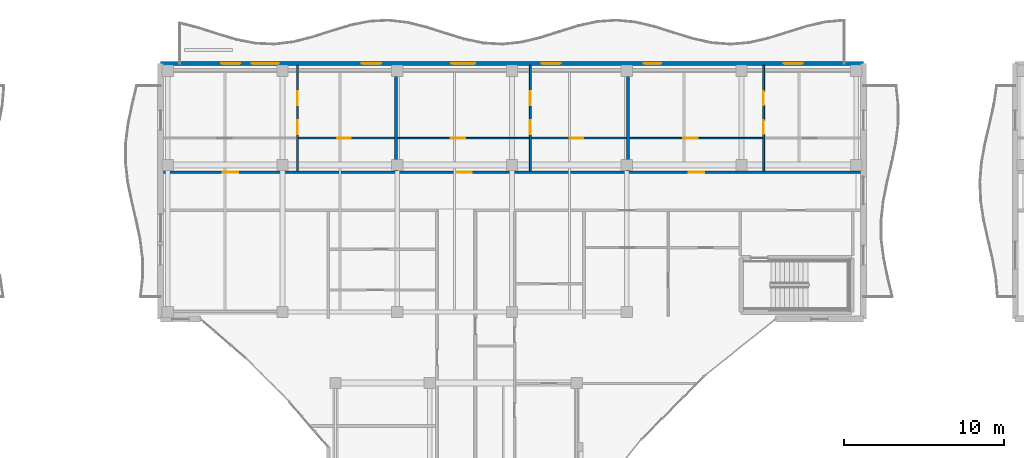
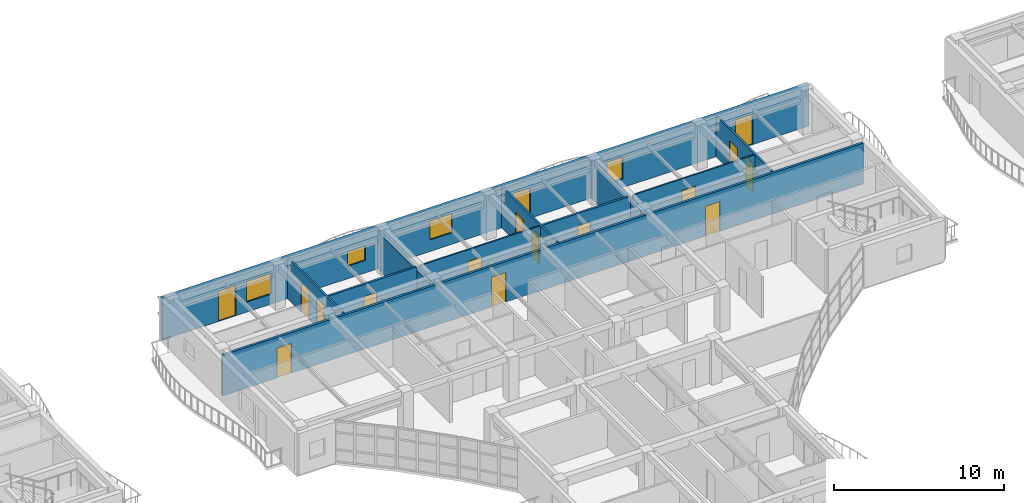
# One storey, part 94 of 128: 16 doors, 11 walls, 4 windows, 20 openings.
"""IFC4 building model written with IfcOpenShell, lengths in metres."""

from ifc_helpers import new_model, si_unit, direction, frame, frame_2d, origin, place, context, subcontext, project, spatial, rectangle, extrude, material, layer, layer_set, type_object, element, fill, save


model = new_model("IFC4")

# Units and contexts
model_context = context("Model", 3, precision=1e-05, world=origin(), true_north=direction((0.0, 1.0)))
body_context = subcontext(model_context, "Body", "Model", "MODEL_VIEW")
ifc_project = project(units=[si_unit("LENGTHUNIT", "METRE"), si_unit("AREAUNIT", "SQUARE_METRE"), si_unit("VOLUMEUNIT", "CUBIC_METRE"), si_unit("PLANEANGLEUNIT", "RADIAN"), si_unit("MASSUNIT", "GRAM", prefix="KILO")], contexts=[model_context])

# Site, building, storey
site_placement = place(None, origin())
site = spatial("IfcSite", under=ifc_project, at=site_placement, CompositionType="ELEMENT")
building_placement = place(site_placement, origin())
building = spatial("IfcBuilding", under=site, at=building_placement, Name="Keldmere Railside Commons", CompositionType="ELEMENT")
storey_placement = place(building_placement, frame((0.0, 0.0, 4.159912109375)))
storey = spatial("IfcBuildingStorey", under=building, at=storey_placement, Name="L01", CompositionType="ELEMENT", Elevation=4.159912109375)

# Walls
ifc_material_1 = material(Name="Acoustic Gypsum Board Partition", Category="gypsum")
ifc_layer_1 = layer(ifc_material_1, 0.179931640625, Name="Acoustic Demising Partition 180")
ifc_layer_set_1 = layer_set([ifc_layer_1], Name="Acoustic Gypsum Board Partition")
wall_type_1 = type_object("IfcWallType", Name="Acoustic Demising Partition 180", PredefinedType="PARTITIONING", material=ifc_layer_set_1)
for number, where, z_axis, x_axis, name in (
    (1, (108.22998046875, 109.280029296875, 0.0), (0.0, 0.0, 1.0), (0.0, 1.0, 0.0), "IW-1 IW-L01-0943"),
    (2, (122.77001953125, 109.280029296875, 0.0), (0.0, 0.0, 1.0), (0.0, 1.0, 0.0), "IW-1 IW-L01-0944"),
):
    element("IfcWall", number, at=place(storey_placement, frame(where, z_axis=z_axis, x_axis=x_axis)), inside=storey, type_object=wall_type_1, Name=name, PredefinedType="PARTITIONING", context=body_context, shape_type="SweptSolid", body=[
        extrude(rectangle(XDim=6.599853515625, YDim=0.179931640625, at=frame_2d((3.2998046875, 0.0))), origin(), (0.0, 0.0, 1.0), 2.68017578125),
    ])

# Wall, openings, doors
ifc_layer_2 = layer(ifc_material_1, 0.1201171875, Name="Apartment Interior Partition 120")
ifc_layer_set_2 = layer_set([ifc_layer_2], Name="Acoustic Gypsum Board Partition")
wall_type_2 = type_object("IfcWallType", Name="Apartment Interior Partition 120", PredefinedType="PARTITIONING", material=ifc_layer_set_2)
wall_1_placement = place(storey_placement, frame((102.070068359375, 109.280029296875, 0.0), z_axis=(0.0, 0.0, 1.0), x_axis=(0.0, 1.0, 0.0)))
wall_1 = element("IfcWall", 3, at=wall_1_placement, inside=storey, type_object=wall_type_2, Name="IW-4 IW-L01-0945", PredefinedType="PARTITIONING", context=body_context, shape_type="SweptSolid", body=[
    extrude(rectangle(XDim=6.599853515625, YDim=0.1201171875, at=frame_2d((3.2998046875, 0.0))), origin(), (0.0, 0.0, 1.0), 2.93505859375),
])
opening_1_placement = place(wall_1_placement, frame((2.305908203125, 0.0, 0.0)))
opening_1 = element("IfcOpeningElement", 4, at=opening_1_placement, cuts=wall_1, Name="Opening ID-04", PredefinedType="OPENING", context=body_context, shape_type="SweptSolid", body=[
    extrude(rectangle(XDim=0.860107421875, YDim=2.10009765625, at=frame_2d((0.43017578125, 1.050048828125))), frame((0.0, 0.070068359375, 0.0), z_axis=(0.0, -1.0, 0.0), x_axis=(1.0, 0.0, 0.0)), (0.0, 0.0, 1.0), 0.14013671875),
])
opening_2_placement = place(wall_1_placement, frame((4.097412109375, 0.0, 0.0)))
opening_2 = element("IfcOpeningElement", 5, at=opening_2_placement, cuts=wall_1, Name="Opening ID-01", PredefinedType="OPENING", context=body_context, shape_type="SweptSolid", body=[
    extrude(rectangle(XDim=0.89990234375, YDim=2.10009765625, at=frame_2d((0.449951171875, 1.050048828125))), frame((0.0, 0.070068359375, 0.0), z_axis=(0.0, -1.0, 0.0), x_axis=(1.0, 0.0, 0.0)), (0.0, 0.0, 1.0), 0.14013671875),
])
ifc_material_2 = material(Name="Engineered Oak Timber", Category="wood")
door_type_1 = type_object("IfcDoorType", Name="Apartment Bathroom Door 860x2100", OperationType="NOTDEFINED", PredefinedType="DOOR", material=ifc_material_2)
door_1_placement = place(opening_1_placement, origin())
door_1 = element("IfcDoor", 6, at=door_1_placement, inside=storey, type_object=door_type_1, Name="ID-04 IDR-L01-0816", OperationType="SINGLE_SWING_RIGHT", OverallHeight=2.10009765625, OverallWidth=0.860107421875, PredefinedType="DOOR", context=body_context, shape_type="SweptSolid", body=[
    extrude(rectangle(XDim=0.860107421875, YDim=2.10009765625, at=frame_2d((0.43017578125, 1.050048828125))), frame((0.0, 0.02490234375, 0.0), z_axis=(0.0, -1.0, 0.0), x_axis=(1.0, 0.0, 0.0)), (0.0, 0.0, 1.0), 0.050048828125),
])
fill(opening_1, door_1)
door_type_2 = type_object("IfcDoorType", Name="Primary Bedroom Door 900x2100", OperationType="NOTDEFINED", PredefinedType="DOOR", material=ifc_material_2)
door_2_placement = place(opening_2_placement, origin())
door_2 = element("IfcDoor", 7, at=door_2_placement, inside=storey, type_object=door_type_2, Name="ID-01 IDR-L01-0817", OperationType="SINGLE_SWING_LEFT", OverallHeight=2.10009765625, OverallWidth=0.89990234375, PredefinedType="DOOR", context=body_context, shape_type="SweptSolid", body=[
    extrude(rectangle(XDim=0.89990234375, YDim=2.10009765625, at=frame_2d((0.449951171875, 1.050048828125))), frame((0.0, 0.02490234375, 0.0), z_axis=(0.0, -1.0, 0.0), x_axis=(1.0, 0.0, 0.0)), (0.0, 0.0, 1.0), 0.050048828125),
])
fill(opening_2, door_2)

wall_2_placement = place(storey_placement, frame((116.64990234375, 109.280029296875, 0.0), z_axis=(0.0, 0.0, 1.0), x_axis=(0.0, 1.0, 0.0)))
wall_2 = element("IfcWall", 8, at=wall_2_placement, inside=storey, type_object=wall_type_2, Name="IW-4 IW-L01-0948", PredefinedType="PARTITIONING", context=body_context, shape_type="SweptSolid", body=[
    extrude(rectangle(XDim=6.599853515625, YDim=0.1201171875, at=frame_2d((3.2998046875, 0.0))), origin(), (0.0, 0.0, 1.0), 2.93505859375),
])
opening_3_placement = place(wall_2_placement, frame((2.305908203125, 0.0, 0.0)))
opening_3 = element("IfcOpeningElement", 9, at=opening_3_placement, cuts=wall_2, Name="Opening ID-04", PredefinedType="OPENING", context=body_context, shape_type="SweptSolid", body=[
    extrude(rectangle(XDim=0.860107421875, YDim=2.10009765625, at=frame_2d((0.43017578125, 1.050048828125))), frame((0.0, 0.070068359375, 0.0), z_axis=(0.0, -1.0, 0.0), x_axis=(1.0, 0.0, 0.0)), (0.0, 0.0, 1.0), 0.14013671875),
])
opening_4_placement = place(wall_2_placement, frame((4.097412109375, 0.0, 0.0)))
opening_4 = element("IfcOpeningElement", 10, at=opening_4_placement, cuts=wall_2, Name="Opening ID-01", PredefinedType="OPENING", context=body_context, shape_type="SweptSolid", body=[
    extrude(rectangle(XDim=0.89990234375, YDim=2.10009765625, at=frame_2d((0.449951171875, 1.050048828125))), frame((0.0, 0.070068359375, 0.0), z_axis=(0.0, -1.0, 0.0), x_axis=(1.0, 0.0, 0.0)), (0.0, 0.0, 1.0), 0.14013671875),
])
door_3_placement = place(opening_3_placement, origin())
door_3 = element("IfcDoor", 11, at=door_3_placement, inside=storey, type_object=door_type_1, Name="ID-04 IDR-L01-0821", OperationType="SINGLE_SWING_LEFT", OverallHeight=2.10009765625, OverallWidth=0.860107421875, PredefinedType="DOOR", context=body_context, shape_type="SweptSolid", body=[
    extrude(rectangle(XDim=0.860107421875, YDim=2.10009765625, at=frame_2d((0.43017578125, 1.050048828125))), frame((0.0, 0.02490234375, 0.0), z_axis=(0.0, -1.0, 0.0), x_axis=(1.0, 0.0, 0.0)), (0.0, 0.0, 1.0), 0.050048828125),
])
fill(opening_3, door_3)
door_4_placement = place(opening_4_placement, origin())
door_4 = element("IfcDoor", 12, at=door_4_placement, inside=storey, type_object=door_type_2, Name="ID-01 IDR-L01-0822", OperationType="SINGLE_SWING_RIGHT", OverallHeight=2.10009765625, OverallWidth=0.89990234375, PredefinedType="DOOR", context=body_context, shape_type="SweptSolid", body=[
    extrude(rectangle(XDim=0.89990234375, YDim=2.10009765625, at=frame_2d((0.449951171875, 1.050048828125))), frame((0.0, 0.02490234375, 0.0), z_axis=(0.0, -1.0, 0.0), x_axis=(1.0, 0.0, 0.0)), (0.0, 0.0, 1.0), 0.050048828125),
])
fill(opening_4, door_4)

wall_3_placement = place(storey_placement, frame((131.25, 109.280029296875, 0.0), z_axis=(0.0, 0.0, 1.0), x_axis=(0.0, 1.0, 0.0)))
wall_3 = element("IfcWall", 13, at=wall_3_placement, inside=storey, type_object=wall_type_2, Name="IW-4 IW-L01-0951", PredefinedType="PARTITIONING", context=body_context, shape_type="SweptSolid", body=[
    extrude(rectangle(XDim=6.599853515625, YDim=0.1201171875, at=frame_2d((3.2998046875, 0.0))), origin(), (0.0, 0.0, 1.0), 2.93505859375),
])
opening_5_placement = place(wall_3_placement, frame((2.305908203125, 0.0, 0.0)))
opening_5 = element("IfcOpeningElement", 14, at=opening_5_placement, cuts=wall_3, Name="Opening ID-04", PredefinedType="OPENING", context=body_context, shape_type="SweptSolid", body=[
    extrude(rectangle(XDim=0.860107421875, YDim=2.10009765625, at=frame_2d((0.43017578125, 1.050048828125))), frame((0.0, 0.070068359375, 0.0), z_axis=(0.0, -1.0, 0.0), x_axis=(1.0, 0.0, 0.0)), (0.0, 0.0, 1.0), 0.14013671875),
])
opening_6_placement = place(wall_3_placement, frame((4.097412109375, 0.0, 0.0)))
opening_6 = element("IfcOpeningElement", 15, at=opening_6_placement, cuts=wall_3, Name="Opening ID-01", PredefinedType="OPENING", context=body_context, shape_type="SweptSolid", body=[
    extrude(rectangle(XDim=0.89990234375, YDim=2.10009765625, at=frame_2d((0.449951171875, 1.050048828125))), frame((0.0, 0.070068359375, 0.0), z_axis=(0.0, -1.0, 0.0), x_axis=(1.0, 0.0, 0.0)), (0.0, 0.0, 1.0), 0.14013671875),
])
door_5_placement = place(opening_5_placement, origin())
door_5 = element("IfcDoor", 16, at=door_5_placement, inside=storey, type_object=door_type_1, Name="ID-04 IDR-L01-0826", OperationType="SINGLE_SWING_RIGHT", OverallHeight=2.10009765625, OverallWidth=0.860107421875, PredefinedType="DOOR", context=body_context, shape_type="SweptSolid", body=[
    extrude(rectangle(XDim=0.860107421875, YDim=2.10009765625, at=frame_2d((0.43017578125, 1.050048828125))), frame((0.0, 0.02490234375, 0.0), z_axis=(0.0, -1.0, 0.0), x_axis=(1.0, 0.0, 0.0)), (0.0, 0.0, 1.0), 0.050048828125),
])
fill(opening_5, door_5)
door_6_placement = place(opening_6_placement, origin())
door_6 = element("IfcDoor", 17, at=door_6_placement, inside=storey, type_object=door_type_2, Name="ID-01 IDR-L01-0827", OperationType="SINGLE_SWING_LEFT", OverallHeight=2.10009765625, OverallWidth=0.89990234375, PredefinedType="DOOR", context=body_context, shape_type="SweptSolid", body=[
    extrude(rectangle(XDim=0.89990234375, YDim=2.10009765625, at=frame_2d((0.449951171875, 1.050048828125))), frame((0.0, 0.02490234375, 0.0), z_axis=(0.0, -1.0, 0.0), x_axis=(1.0, 0.0, 0.0)), (0.0, 0.0, 1.0), 0.050048828125),
])
fill(opening_6, door_6)

# Wall, opening, door
ifc_layer_3 = layer(ifc_material_1, 0.10009765625, Name="Closet Light Partition 100")
ifc_layer_set_3 = layer_set([ifc_layer_3], Name="Acoustic Gypsum Board Partition")
wall_type_3 = type_object("IfcWallType", Name="Closet Light Partition 100", PredefinedType="PARTITIONING", material=ifc_layer_set_3)
wall_4_placement = place(storey_placement, frame((108.320068359375, 111.330078125, 0.0), z_axis=(0.0, 0.0, 1.0), x_axis=(1.0, 0.0, 0.0)))
wall_4 = element("IfcWall", 18, at=wall_4_placement, inside=storey, type_object=wall_type_3, Name="IW-6 IW-L01-0950", PredefinedType="PARTITIONING", context=body_context, shape_type="SweptSolid", body=[
    extrude(rectangle(XDim=8.27001953125, YDim=0.10009765625, at=frame_2d((4.135009765625, 0.0))), origin(), (0.0, 0.0, 1.0), 2.93505859375),
])
opening_7_placement = place(wall_4_placement, frame((3.33203125, 0.0, 0.0)))
opening_7 = element("IfcOpeningElement", 19, at=opening_7_placement, cuts=wall_4, Name="Opening ID-03", PredefinedType="OPENING", context=body_context, shape_type="SweptSolid", body=[
    extrude(rectangle(XDim=0.919921875, YDim=2.10009765625, at=frame_2d((0.4599609375, 1.050048828125))), frame((0.0, 0.06005859375, 0.0), z_axis=(0.0, -1.0, 0.0), x_axis=(1.0, 0.0, 0.0)), (0.0, 0.0, 1.0), 0.1201171875),
])
door_type_3 = type_object("IfcDoorType", Name="Kitchen Pocket-Frame Swing Door 920x2100", OperationType="NOTDEFINED", PredefinedType="DOOR", material=ifc_material_2)
door_7_placement = place(opening_7_placement, origin())
door_7 = element("IfcDoor", 20, at=door_7_placement, inside=storey, type_object=door_type_3, Name="ID-03 IDR-L01-0820", OperationType="SINGLE_SWING_RIGHT", OverallHeight=2.10009765625, OverallWidth=0.919921875, PredefinedType="DOOR", context=body_context, shape_type="SweptSolid", body=[
    extrude(rectangle(XDim=0.919921875, YDim=2.10009765625, at=frame_2d((0.4599609375, 1.050048828125))), frame((0.0, 0.02490234375, 0.0), z_axis=(0.0, -1.0, 0.0), x_axis=(1.0, 0.0, 0.0)), (0.0, 0.0, 1.0), 0.050048828125),
])
fill(opening_7, door_7)

wall_5_placement = place(storey_placement, frame((122.860107421875, 111.330078125, 0.0), z_axis=(0.0, 0.0, 1.0), x_axis=(1.0, 0.0, 0.0)))
wall_5 = element("IfcWall", 21, at=wall_5_placement, inside=storey, type_object=wall_type_3, Name="IW-6 IW-L01-0953", PredefinedType="PARTITIONING", context=body_context, shape_type="SweptSolid", body=[
    extrude(rectangle(XDim=8.329833984375, YDim=0.10009765625, at=frame_2d((4.1650390625, 0.0))), origin(), (0.0, 0.0, 1.0), 2.93505859375),
])
opening_8_placement = place(wall_5_placement, frame((3.35595703125, 0.0, 0.0)))
opening_8 = element("IfcOpeningElement", 22, at=opening_8_placement, cuts=wall_5, Name="Opening ID-03", PredefinedType="OPENING", context=body_context, shape_type="SweptSolid", body=[
    extrude(rectangle(XDim=0.919921875, YDim=2.10009765625, at=frame_2d((0.4599609375, 1.050048828125))), frame((0.0, 0.06005859375, 0.0), z_axis=(0.0, -1.0, 0.0), x_axis=(1.0, 0.0, 0.0)), (0.0, 0.0, 1.0), 0.1201171875),
])
door_8_placement = place(opening_8_placement, origin())
door_8 = element("IfcDoor", 23, at=door_8_placement, inside=storey, type_object=door_type_3, Name="ID-03 IDR-L01-0825", OperationType="SINGLE_SWING_LEFT", OverallHeight=2.10009765625, OverallWidth=0.919921875, PredefinedType="DOOR", context=body_context, shape_type="SweptSolid", body=[
    extrude(rectangle(XDim=0.919921875, YDim=2.10009765625, at=frame_2d((0.4599609375, 1.050048828125))), frame((0.0, 0.02490234375, 0.0), z_axis=(0.0, -1.0, 0.0), x_axis=(1.0, 0.0, 0.0)), (0.0, 0.0, 1.0), 0.050048828125),
])
fill(opening_8, door_8)

# Wall, openings, doors
ifc_layer_4 = layer(ifc_material_1, 0.159912109375, Name="Corridor Fire Partition 160")
ifc_layer_set_4 = layer_set([ifc_layer_4], Name="Acoustic Gypsum Board Partition")
wall_type_4 = type_object("IfcWallType", Name="Corridor Fire Partition 160", PredefinedType="PARTITIONING", material=ifc_layer_set_4)
wall_6_placement = place(storey_placement, frame((93.679931640625, 109.199951171875, 0.0), z_axis=(0.0, 0.0, 1.0), x_axis=(1.0, 0.0, 0.0)))
wall_6 = element("IfcWall", 24, at=wall_6_placement, inside=storey, type_object=wall_type_4, Name="IW-2 IW-L01-0924", PredefinedType="PARTITIONING", context=body_context, shape_type="SweptSolid", body=[
    extrude(rectangle(XDim=43.64013671875, YDim=0.159912109375, at=frame_2d((21.820068359375, 0.0))), origin(), (0.0, 0.0, 1.0), 2.93505859375),
])
opening_9_placement = place(wall_6_placement, frame((3.705078125, 0.0, 0.0)))
opening_9 = element("IfcOpeningElement", 25, at=opening_9_placement, cuts=wall_6, Name="Opening FD-7", PredefinedType="OPENING", context=body_context, shape_type="SweptSolid", body=[
    extrude(rectangle(XDim=0.97998046875, YDim=2.14990234375, at=frame_2d((0.489990234375, 1.074951171875))), frame((0.0, 0.08984375, 0.0), z_axis=(0.0, -1.0, 0.0), x_axis=(1.0, 0.0, 0.0)), (0.0, 0.0, 1.0), 0.179931640625),
])
opening_10_placement = place(wall_6_placement, frame((18.31494140625, 0.0, 0.0)))
opening_10 = element("IfcOpeningElement", 26, at=opening_10_placement, cuts=wall_6, Name="Opening FD-7", PredefinedType="OPENING", context=body_context, shape_type="SweptSolid", body=[
    extrude(rectangle(XDim=0.97998046875, YDim=2.14990234375, at=frame_2d((0.489990234375, 1.074951171875))), frame((0.0, 0.08984375, 0.0), z_axis=(0.0, -1.0, 0.0), x_axis=(1.0, 0.0, 0.0)), (0.0, 0.0, 1.0), 0.179931640625),
])
opening_11_placement = place(wall_6_placement, frame((32.885009765625, 0.0, 0.0)))
opening_11 = element("IfcOpeningElement", 27, at=opening_11_placement, cuts=wall_6, Name="Opening FD-7", PredefinedType="OPENING", context=body_context, shape_type="SweptSolid", body=[
    extrude(rectangle(XDim=0.97998046875, YDim=2.14990234375, at=frame_2d((0.489990234375, 1.074951171875))), frame((0.0, 0.08984375, 0.0), z_axis=(0.0, -1.0, 0.0), x_axis=(1.0, 0.0, 0.0)), (0.0, 0.0, 1.0), 0.179931640625),
])
door_type_4 = type_object("IfcDoorType", Name="Apartment Entrance Acoustic Fire Door 980x2150", OperationType="NOTDEFINED", PredefinedType="DOOR", material=ifc_material_2)
door_9_placement = place(opening_9_placement, origin())
door_9 = element("IfcDoor", 28, at=door_9_placement, inside=storey, type_object=door_type_4, Name="FD-7 IDR-L01-0814", OperationType="SINGLE_SWING_RIGHT", OverallHeight=2.14990234375, OverallWidth=0.97998046875, PredefinedType="DOOR", context=body_context, shape_type="SweptSolid", body=[
    extrude(rectangle(XDim=0.97998046875, YDim=2.14990234375, at=frame_2d((0.489990234375, 1.074951171875))), frame((0.0, 0.02490234375, 0.0), z_axis=(0.0, -1.0, 0.0), x_axis=(1.0, 0.0, 0.0)), (0.0, 0.0, 1.0), 0.050048828125),
])
fill(opening_9, door_9)
door_10_placement = place(opening_10_placement, origin())
door_10 = element("IfcDoor", 29, at=door_10_placement, inside=storey, type_object=door_type_4, Name="FD-7 IDR-L01-0819", OperationType="SINGLE_SWING_LEFT", OverallHeight=2.14990234375, OverallWidth=0.97998046875, PredefinedType="DOOR", context=body_context, shape_type="SweptSolid", body=[
    extrude(rectangle(XDim=0.97998046875, YDim=2.14990234375, at=frame_2d((0.489990234375, 1.074951171875))), frame((0.0, 0.02490234375, 0.0), z_axis=(0.0, -1.0, 0.0), x_axis=(1.0, 0.0, 0.0)), (0.0, 0.0, 1.0), 0.050048828125),
])
fill(opening_10, door_10)
door_11_placement = place(opening_11_placement, origin())
door_11 = element("IfcDoor", 30, at=door_11_placement, inside=storey, type_object=door_type_4, Name="FD-7 IDR-L01-0824", OperationType="SINGLE_SWING_RIGHT", OverallHeight=2.14990234375, OverallWidth=0.97998046875, PredefinedType="DOOR", context=body_context, shape_type="SweptSolid", body=[
    extrude(rectangle(XDim=0.97998046875, YDim=2.14990234375, at=frame_2d((0.489990234375, 1.074951171875))), frame((0.0, 0.02490234375, 0.0), z_axis=(0.0, -1.0, 0.0), x_axis=(1.0, 0.0, 0.0)), (0.0, 0.0, 1.0), 0.050048828125),
])
fill(opening_11, door_11)

# Wall, openings, windows, doors
ifc_material_3 = material(Name="Architectural Precast Concrete H-35 (C35/45)", Category="concrete")
ifc_layer_5 = layer(ifc_material_3, 0.239990234375, Name="Sand-Ochre Precast Cavity Wall 240")
ifc_layer_set_5 = layer_set([ifc_layer_5], Name="Architectural Precast Concrete H-35 (C35/45)")
wall_type_5 = type_object("IfcWallType", Name="Sand-Ochre Precast Cavity Wall 240", PredefinedType="SOLIDWALL", material=ifc_layer_set_5)
wall_7_placement = place(storey_placement, frame((93.5, 116.0, 0.0), z_axis=(0.0, 0.0, 1.0), x_axis=(1.0, 0.0, 0.0)))
wall_7 = element("IfcWall", 31, at=wall_7_placement, inside=storey, type_object=wall_type_5, Name="EW-2 EXTB-L01-0588", PredefinedType="SOLIDWALL", context=body_context, shape_type="SweptSolid", body=[
    extrude(rectangle(XDim=44.0, YDim=0.239990234375, at=frame_2d((22.0, 0.0))), origin(), (0.0, 0.0, 1.0), 2.97998046875),
])
opening_12_placement = place(wall_7_placement, frame((3.800048828125, 0.0, 0.0)))
opening_12 = element("IfcOpeningElement", 32, at=opening_12_placement, cuts=wall_7, Name="Opening BD-01", PredefinedType="OPENING", context=body_context, shape_type="SweptSolid", body=[
    extrude(rectangle(XDim=1.199951171875, YDim=2.199951171875, at=frame_2d((0.60009765625, 1.10009765625))), frame((0.0, 0.1298828125, 0.0), z_axis=(0.0, -1.0, 0.0), x_axis=(1.0, 0.0, 0.0)), (0.0, 0.0, 1.0), 0.260009765625),
])
opening_13_placement = place(wall_7_placement, frame((5.699951171875, 0.0, 0.719970703125)))
opening_13 = element("IfcOpeningElement", 33, at=opening_13_placement, cuts=wall_7, Name="Opening WN-20", PredefinedType="OPENING", context=body_context, shape_type="SweptSolid", body=[
    extrude(rectangle(XDim=1.699951171875, YDim=1.5, at=frame_2d((0.85009765625, 0.75))), frame((0.0, 0.1298828125, 0.0), z_axis=(0.0, -1.0, 0.0), x_axis=(1.0, 0.0, 0.0)), (0.0, 0.0, 1.0), 0.260009765625),
])
opening_14_placement = place(wall_7_placement, frame((12.60009765625, 0.0, 0.89990234375)))
opening_14 = element("IfcOpeningElement", 34, at=opening_14_placement, cuts=wall_7, Name="Opening WN-14", PredefinedType="OPENING", context=body_context, shape_type="SweptSolid", body=[
    extrude(rectangle(XDim=1.199951171875, YDim=1.050048828125, at=frame_2d((0.60009765625, 0.52490234375))), frame((0.0, 0.1298828125, 0.0), z_axis=(0.0, -1.0, 0.0), x_axis=(1.0, 0.0, 0.0)), (0.0, 0.0, 1.0), 0.260009765625),
])
opening_15_placement = place(wall_7_placement, frame((23.85009765625, 0.0, 0.0)))
opening_15 = element("IfcOpeningElement", 35, at=opening_15_placement, cuts=wall_7, Name="Opening BD-01", PredefinedType="OPENING", context=body_context, shape_type="SweptSolid", body=[
    extrude(rectangle(XDim=1.199951171875, YDim=2.199951171875, at=frame_2d((0.60009765625, 1.10009765625))), frame((0.0, 0.1298828125, 0.0), z_axis=(0.0, -1.0, 0.0), x_axis=(1.0, 0.0, 0.0)), (0.0, 0.0, 1.0), 0.260009765625),
])
opening_16_placement = place(wall_7_placement, frame((30.25, 0.0, 0.6201171875)))
opening_16 = element("IfcOpeningElement", 36, at=opening_16_placement, cuts=wall_7, Name="Opening WN-16", PredefinedType="OPENING", context=body_context, shape_type="SweptSolid", body=[
    extrude(rectangle(XDim=1.10009765625, YDim=1.60009765625, at=frame_2d((0.550048828125, 0.800048828125))), frame((0.0, 0.1298828125, 0.0), z_axis=(0.0, -1.0, 0.0), x_axis=(1.0, 0.0, 0.0)), (0.0, 0.0, 1.0), 0.260009765625),
])
opening_17_placement = place(wall_7_placement, frame((39.0, 0.0, 0.0)))
opening_17 = element("IfcOpeningElement", 37, at=opening_17_placement, cuts=wall_7, Name="Opening BD-01", PredefinedType="OPENING", context=body_context, shape_type="SweptSolid", body=[
    extrude(rectangle(XDim=1.199951171875, YDim=2.199951171875, at=frame_2d((0.60009765625, 1.10009765625))), frame((0.0, 0.1298828125, 0.0), z_axis=(0.0, -1.0, 0.0), x_axis=(1.0, 0.0, 0.0)), (0.0, 0.0, 1.0), 0.260009765625),
])
opening_18_placement = place(wall_7_placement, frame((18.2099609375, 0.0, 0.820068359375)))
opening_18 = element("IfcOpeningElement", 38, at=opening_18_placement, cuts=wall_7, Name="Opening WN-06", PredefinedType="OPENING", context=body_context, shape_type="SweptSolid", body=[
    extrude(rectangle(XDim=1.5, YDim=1.39990234375, at=frame_2d((0.75, 0.699951171875))), frame((0.0, 0.1298828125, 0.0), z_axis=(0.0, -1.0, 0.0), x_axis=(1.0, 0.0, 0.0)), (0.0, 0.0, 1.0), 0.260009765625),
])
ifc_material_4 = material(Name="Low-E Insulated Double Glazing", Category="glass")
window_type_1 = type_object("IfcWindowType", Name="Apartment Kitchen Ribbon Window 1200x1050", PartitioningType="SINGLE_PANEL", PredefinedType="WINDOW", material=ifc_material_4)
window_1_placement = place(opening_14_placement, origin())
window_1 = element("IfcWindow", 39, at=window_1_placement, inside=storey, type_object=window_type_1, Name="WN-14 WIN-L01-0373", OverallHeight=1.050048828125, OverallWidth=1.199951171875, PartitioningType="SINGLE_PANEL", PredefinedType="WINDOW", context=body_context, shape_type="SweptSolid", body=[
    extrude(rectangle(XDim=1.199951171875, YDim=1.050048828125, at=frame_2d((0.60009765625, 0.52490234375))), frame((0.0, 0.030029296875, 0.0), z_axis=(0.0, -1.0, 0.0), x_axis=(1.0, 0.0, 0.0)), (0.0, 0.0, 1.0), 0.06005859375),
])
fill(opening_14, window_1)
ifc_material_5 = material(Name="Thermally Broken Aluminium", Category="aluminium")
door_type_5 = type_object("IfcDoorType", Name="Apartment Living Wave-Balcony Glazed Door 1200x2200", OperationType="NOTDEFINED", PredefinedType="DOOR", material=ifc_material_5)
door_12_placement = place(opening_12_placement, origin())
door_12 = element("IfcDoor", 40, at=door_12_placement, inside=storey, type_object=door_type_5, Name="BD-01 DR-L01-0131", OperationType="SINGLE_SWING_LEFT", OverallHeight=2.199951171875, OverallWidth=1.199951171875, PredefinedType="DOOR", context=body_context, shape_type="SweptSolid", body=[
    extrude(rectangle(XDim=1.199951171875, YDim=2.199951171875, at=frame_2d((0.60009765625, 1.10009765625))), frame((0.0, 0.02490234375, 0.0), z_axis=(0.0, -1.0, 0.0), x_axis=(1.0, 0.0, 0.0)), (0.0, 0.0, 1.0), 0.050048828125),
])
fill(opening_12, door_12)
door_13_placement = place(opening_15_placement, origin())
door_13 = element("IfcDoor", 41, at=door_13_placement, inside=storey, type_object=door_type_5, Name="BD-01 DR-L01-0132", OperationType="SINGLE_SWING_RIGHT", OverallHeight=2.199951171875, OverallWidth=1.199951171875, PredefinedType="DOOR", context=body_context, shape_type="SweptSolid", body=[
    extrude(rectangle(XDim=1.199951171875, YDim=2.199951171875, at=frame_2d((0.60009765625, 1.10009765625))), frame((0.0, 0.02490234375, 0.0), z_axis=(0.0, -1.0, 0.0), x_axis=(1.0, 0.0, 0.0)), (0.0, 0.0, 1.0), 0.050048828125),
])
fill(opening_15, door_13)
door_14_placement = place(opening_17_placement, origin())
door_14 = element("IfcDoor", 42, at=door_14_placement, inside=storey, type_object=door_type_5, Name="BD-01 DR-L01-0133", OperationType="SINGLE_SWING_LEFT", OverallHeight=2.199951171875, OverallWidth=1.199951171875, PredefinedType="DOOR", context=body_context, shape_type="SweptSolid", body=[
    extrude(rectangle(XDim=1.199951171875, YDim=2.199951171875, at=frame_2d((0.60009765625, 1.10009765625))), frame((0.0, 0.02490234375, 0.0), z_axis=(0.0, -1.0, 0.0), x_axis=(1.0, 0.0, 0.0)), (0.0, 0.0, 1.0), 0.050048828125),
])
fill(opening_17, door_14)
window_type_2 = type_object("IfcWindowType", Name="Corridor End Daylight Window 1100x1600", PartitioningType="SINGLE_PANEL", PredefinedType="WINDOW", material=ifc_material_4)
window_2_placement = place(opening_16_placement, origin())
window_2 = element("IfcWindow", 43, at=window_2_placement, inside=storey, type_object=window_type_2, Name="WN-16 WIN-L01-0374", OverallHeight=1.60009765625, OverallWidth=1.10009765625, PartitioningType="SINGLE_PANEL", PredefinedType="WINDOW", context=body_context, shape_type="SweptSolid", body=[
    extrude(rectangle(XDim=1.10009765625, YDim=1.60009765625, at=frame_2d((0.550048828125, 0.800048828125))), frame((0.0, 0.030029296875, 0.0), z_axis=(0.0, -1.0, 0.0), x_axis=(1.0, 0.0, 0.0)), (0.0, 0.0, 1.0), 0.06005859375),
])
fill(opening_16, window_2)
window_type_3 = type_object("IfcWindowType", Name="Primary Bedroom North Window 1500x1400", PartitioningType="SINGLE_PANEL", PredefinedType="WINDOW", material=ifc_material_4)
window_3_placement = place(opening_18_placement, origin())
window_3 = element("IfcWindow", 44, at=window_3_placement, inside=storey, type_object=window_type_3, Name="WN-06 WIN-L01-9007", OverallHeight=1.39990234375, OverallWidth=1.5, PartitioningType="SINGLE_PANEL", PredefinedType="WINDOW", context=body_context, shape_type="SweptSolid", body=[
    extrude(rectangle(XDim=1.5, YDim=1.39990234375, at=frame_2d((0.75, 0.699951171875))), frame((0.0, 0.030029296875, 0.0), z_axis=(0.0, -1.0, 0.0), x_axis=(1.0, 0.0, 0.0)), (0.0, 0.0, 1.0), 0.06005859375),
])
fill(opening_18, window_3)
window_type_4 = type_object("IfcWindowType", Name="Study Room Quiet Casement Window 1700x1500", PartitioningType="SINGLE_PANEL", PredefinedType="WINDOW", material=ifc_material_4)
window_4_placement = place(opening_13_placement, origin())
window_4 = element("IfcWindow", 45, at=window_4_placement, inside=storey, type_object=window_type_4, Name="WN-20 WIN-L01-0372", OverallHeight=1.5, OverallWidth=1.699951171875, PartitioningType="SINGLE_PANEL", PredefinedType="WINDOW", context=body_context, shape_type="SweptSolid", body=[
    extrude(rectangle(XDim=1.699951171875, YDim=1.5, at=frame_2d((0.85009765625, 0.75))), frame((0.0, 0.030029296875, 0.0), z_axis=(0.0, -1.0, 0.0), x_axis=(1.0, 0.0, 0.0)), (0.0, 0.0, 1.0), 0.06005859375),
])
fill(opening_13, window_4)

# Wall, opening, door
ifc_layer_6 = layer(ifc_material_1, 0.139892578125, Name="Wet-Room Sanitary Partition 140")
ifc_layer_set_6 = layer_set([ifc_layer_6], Name="Acoustic Gypsum Board Partition")
wall_type_6 = type_object("IfcWallType", Name="Wet-Room Sanitary Partition 140", PredefinedType="PARTITIONING", material=ifc_layer_set_6)
wall_8_placement = place(storey_placement, frame((102.1298828125, 111.330078125, 0.0), z_axis=(0.0, 0.0, 1.0), x_axis=(1.0, 0.0, 0.0)))
wall_8 = element("IfcWall", 46, at=wall_8_placement, inside=storey, type_object=wall_type_6, Name="IW-5 IW-L01-0946", PredefinedType="PARTITIONING", context=body_context, shape_type="SweptSolid", body=[
    extrude(rectangle(XDim=6.010009765625, YDim=0.139892578125, at=frame_2d((3.0048828125, 0.0))), origin(), (0.0, 0.0, 1.0), 2.93505859375),
])
opening_19_placement = place(wall_8_placement, frame((2.427978515625, 0.0, 0.0)))
opening_19 = element("IfcOpeningElement", 47, at=opening_19_placement, cuts=wall_8, Name="Opening ID-06", PredefinedType="OPENING", context=body_context, shape_type="SweptSolid", body=[
    extrude(rectangle(XDim=0.85009765625, YDim=2.050048828125, at=frame_2d((0.425048828125, 1.02490234375))), frame((0.0, 0.079833984375, 0.0), z_axis=(0.0, -1.0, 0.0), x_axis=(1.0, 0.0, 0.0)), (0.0, 0.0, 1.0), 0.159912109375),
])
door_type_6 = type_object("IfcDoorType", Name="Storage Closet Door 850x2050", OperationType="NOTDEFINED", PredefinedType="DOOR", material=ifc_material_2)
door_15_placement = place(opening_19_placement, origin())
door_15 = element("IfcDoor", 48, at=door_15_placement, inside=storey, type_object=door_type_6, Name="ID-06 IDR-L01-0818", OperationType="SINGLE_SWING_RIGHT", OverallHeight=2.050048828125, OverallWidth=0.85009765625, PredefinedType="DOOR", context=body_context, shape_type="SweptSolid", body=[
    extrude(rectangle(XDim=0.85009765625, YDim=2.050048828125, at=frame_2d((0.425048828125, 1.02490234375))), frame((0.0, 0.02490234375, 0.0), z_axis=(0.0, -1.0, 0.0), x_axis=(1.0, 0.0, 0.0)), (0.0, 0.0, 1.0), 0.050048828125),
])
fill(opening_19, door_15)

wall_9_placement = place(storey_placement, frame((116.7099609375, 111.330078125, 0.0), z_axis=(0.0, 0.0, 1.0), x_axis=(1.0, 0.0, 0.0)))
wall_9 = element("IfcWall", 49, at=wall_9_placement, inside=storey, type_object=wall_type_6, Name="IW-5 IW-L01-0949", PredefinedType="PARTITIONING", context=body_context, shape_type="SweptSolid", body=[
    extrude(rectangle(XDim=5.969970703125, YDim=0.139892578125, at=frame_2d((2.98486328125, 0.0))), origin(), (0.0, 0.0, 1.0), 2.93505859375),
])
opening_20_placement = place(wall_9_placement, frame((2.412109375, 0.0, 0.0)))
opening_20 = element("IfcOpeningElement", 50, at=opening_20_placement, cuts=wall_9, Name="Opening ID-06", PredefinedType="OPENING", context=body_context, shape_type="SweptSolid", body=[
    extrude(rectangle(XDim=0.85009765625, YDim=2.050048828125, at=frame_2d((0.425048828125, 1.02490234375))), frame((0.0, 0.079833984375, 0.0), z_axis=(0.0, -1.0, 0.0), x_axis=(1.0, 0.0, 0.0)), (0.0, 0.0, 1.0), 0.159912109375),
])
door_16_placement = place(opening_20_placement, origin())
door_16 = element("IfcDoor", 51, at=door_16_placement, inside=storey, type_object=door_type_6, Name="ID-06 IDR-L01-0823", OperationType="SINGLE_SWING_LEFT", OverallHeight=2.050048828125, OverallWidth=0.85009765625, PredefinedType="DOOR", context=body_context, shape_type="SweptSolid", body=[
    extrude(rectangle(XDim=0.85009765625, YDim=2.050048828125, at=frame_2d((0.425048828125, 1.02490234375))), frame((0.0, 0.02490234375, 0.0), z_axis=(0.0, -1.0, 0.0), x_axis=(1.0, 0.0, 0.0)), (0.0, 0.0, 1.0), 0.050048828125),
])
fill(opening_20, door_16)

save(model, "model.ifc")
